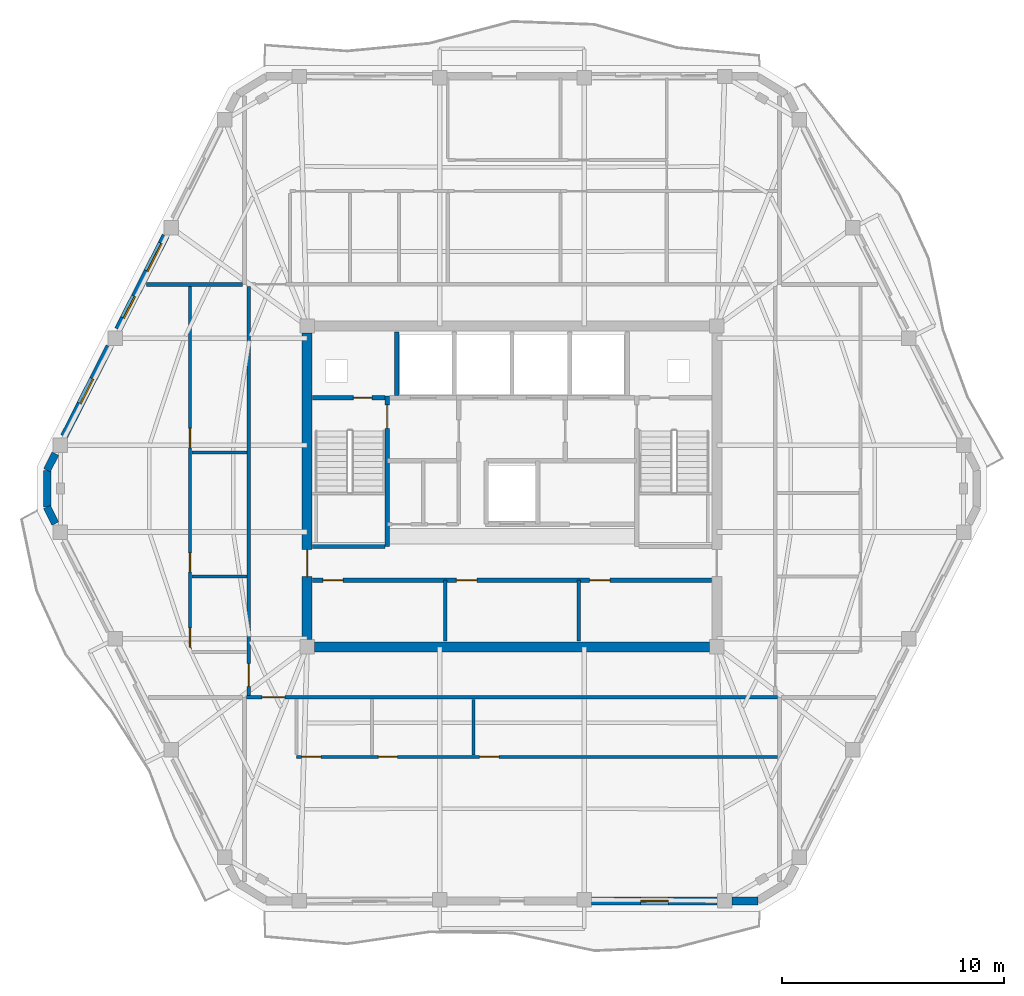
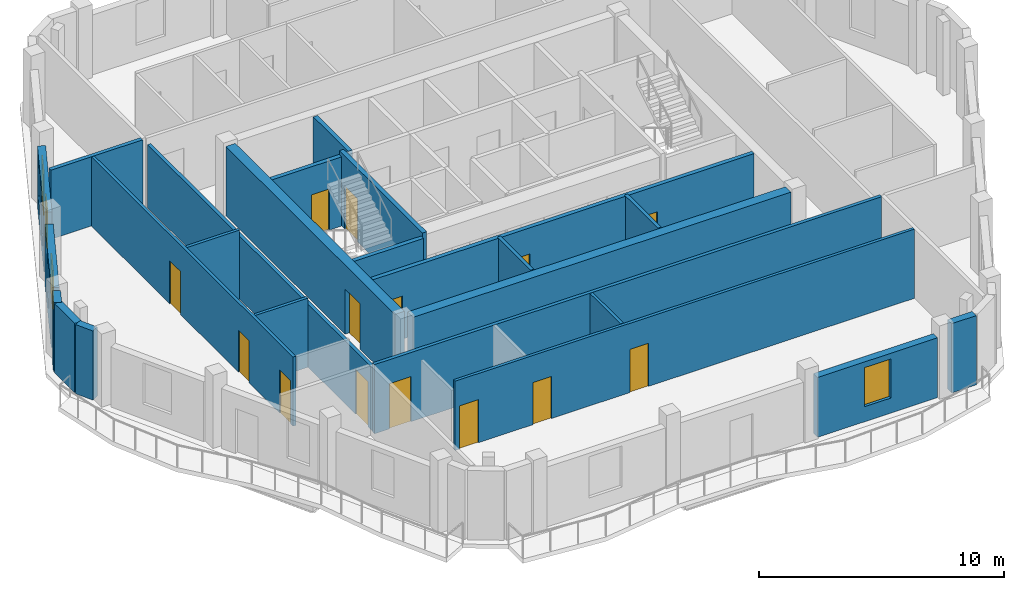
# One storey, part 4 of 10: 24 walls, 14 doors, 4 windows, 18 openings.
"""IFC4 building model written with IfcOpenShell, lengths in metres."""

from ifc_helpers import new_model, si_unit, direction, frame, frame_2d, origin, place, context, subcontext, project, spatial, rectangle, extrude, material, layer, layer_set, type_object, element, fill, save


model = new_model("IFC4")

# Units and contexts
model_context = context("Model", 3, precision=1e-05, world=origin(), true_north=direction((0.0, 1.0)))
body_context = subcontext(model_context, "Body", "Model", "MODEL_VIEW")
ifc_project = project(units=[si_unit("LENGTHUNIT", "METRE"), si_unit("AREAUNIT", "SQUARE_METRE"), si_unit("VOLUMEUNIT", "CUBIC_METRE"), si_unit("PLANEANGLEUNIT", "RADIAN"), si_unit("MASSUNIT", "GRAM", prefix="KILO")], contexts=[model_context])

# Site, building, storey
site_placement = place(None, origin())
site = spatial("IfcSite", under=ifc_project, at=site_placement, CompositionType="ELEMENT")
building_placement = place(site_placement, origin())
building = spatial("IfcBuilding", under=site, at=building_placement, Name="Cinnabar Lancet Tower", CompositionType="ELEMENT")
storey_placement = place(building_placement, frame((0.0, 0.0, 263.5)))
storey = spatial("IfcBuildingStorey", under=building, at=storey_placement, Name="L70", CompositionType="ELEMENT", Elevation=263.5)

# Walls
ifc_material_1 = material(Name="Acoustic twin-stud gypsum partition", Category="gypsum")
ifc_layer_1 = layer(ifc_material_1, 0.159912109375)
ifc_layer_set_1 = layer_set([ifc_layer_1], Name="Acoustic twin-stud gypsum partition")
wall_type_1 = type_object("IfcWallType", Name="ARC-WL-CORR-160", PredefinedType="PARTITIONING", material=ifc_layer_set_1)
for number, where, z_axis, x_axis, name in (
    (1, (29.39990234375, 18.949951171875, 0.0), (0.0, 0.0, 1.0), (0.0, 1.0, 0.0), "CW-SB-2940-L70"),
    (2, (35.39990234375, 18.949951171875, 0.0), (0.0, 0.0, 1.0), (0.0, 1.0, 0.0), "CW-SB-3540-L70"),
):
    element("IfcWall", number, at=place(storey_placement, frame(where, z_axis=z_axis, x_axis=x_axis)), inside=storey, type_object=wall_type_1, Name=name, PredefinedType="PARTITIONING", context=body_context, shape_type="SweptSolid", body=[
        extrude(rectangle(XDim=2.72998046875, YDim=0.159912109375, at=frame_2d((1.364990234375, 0.0))), origin(), (0.0, 0.0, 1.0), 3.449951171875),
    ])

# Wall, opening, door
wall_1_placement = place(storey_placement, frame((20.445068359375, 16.39990234375, 0.0), z_axis=(0.0, 0.0, 1.0), x_axis=(1.0, 0.0, 0.0)))
wall_1 = element("IfcWall", 3, at=wall_1_placement, inside=storey, type_object=wall_type_1, Name="L70 Unit S01 Corridor Wall", PredefinedType="PARTITIONING", context=body_context, shape_type="SweptSolid", body=[
    extrude(rectangle(XDim=23.909912109375, YDim=0.159912109375, at=frame_2d((11.955078125, 0.0))), origin(), (0.0, 0.0, 1.0), 3.449951171875),
])
opening_1_placement = place(wall_1_placement, frame((0.705078125, 0.0, 0.0)))
opening_1 = element("IfcOpeningElement", 4, at=opening_1_placement, cuts=wall_1, Name="Opening UD-01", PredefinedType="OPENING", context=body_context, shape_type="SweptSolid", body=[
    extrude(rectangle(XDim=1.02001953125, YDim=2.25, at=frame_2d((0.510009765625, 1.125))), frame((0.0, 0.08984375, 0.0), z_axis=(0.0, -1.0, 0.0), x_axis=(1.0, 0.0, 0.0)), (0.0, 0.0, 1.0), 0.179931640625),
])
ifc_material_2 = material(Name="Solid timber fire-rated apartment entrance door", Category="wood")
door_type_1 = type_object("IfcDoorType", Name="ARC-DR-UNIT", OperationType="NOTDEFINED", PredefinedType="DOOR", material=ifc_material_2)
door_1_placement = place(opening_1_placement, origin())
door_1 = element("IfcDoor", 5, at=door_1_placement, inside=storey, type_object=door_type_1, Name="DR-L70-S01-ENT", OperationType="SINGLE_SWING_LEFT", OverallHeight=2.25, OverallWidth=1.02001953125, PredefinedType="DOOR", context=body_context, shape_type="SweptSolid", body=[
    extrude(rectangle(XDim=1.02001953125, YDim=2.25, at=frame_2d((0.510009765625, 1.125))), frame((0.0, 0.02490234375, 0.0), z_axis=(0.0, -1.0, 0.0), x_axis=(1.0, 0.0, 0.0)), (0.0, 0.0, 1.0), 0.050048828125),
])
fill(opening_1, door_1)

wall_2_placement = place(storey_placement, frame((20.550048828125, 16.4951171875, 0.0), z_axis=(0.0, 0.0, 1.0), x_axis=(0.0, 1.0, 0.0)))
wall_2 = element("IfcWall", 6, at=wall_2_placement, inside=storey, type_object=wall_type_1, Name="UW-L70-W01-COR", PredefinedType="PARTITIONING", context=body_context, shape_type="SweptSolid", body=[
    extrude(rectangle(XDim=18.409912109375, YDim=0.159912109375, at=frame_2d((9.205078125, 0.0))), origin(), (0.0, 0.0, 1.0), 3.136962890625),
])
opening_2_placement = place(wall_2_placement, frame((0.39990234375, 0.0, 0.0)))
opening_2 = element("IfcOpeningElement", 7, at=opening_2_placement, cuts=wall_2, Name="Opening UD-01", PredefinedType="OPENING", context=body_context, shape_type="SweptSolid", body=[
    extrude(rectangle(XDim=1.02001953125, YDim=2.25, at=frame_2d((0.510009765625, 1.125))), frame((0.0, 0.08984375, 0.0), z_axis=(0.0, -1.0, 0.0), x_axis=(1.0, 0.0, 0.0)), (0.0, 0.0, 1.0), 0.179931640625),
])
door_2_placement = place(opening_2_placement, origin())
door_2 = element("IfcDoor", 8, at=door_2_placement, inside=storey, type_object=door_type_1, Name="DR-L70-W01-ENT", OperationType="SINGLE_SWING_LEFT", OverallHeight=2.25, OverallWidth=1.02001953125, PredefinedType="DOOR", context=body_context, shape_type="SweptSolid", body=[
    extrude(rectangle(XDim=1.02001953125, YDim=2.25, at=frame_2d((0.510009765625, 1.125))), frame((0.0, 0.02490234375, 0.0), z_axis=(0.0, -1.0, 0.0), x_axis=(1.0, 0.0, 0.0)), (0.0, 0.0, 1.0), 0.050048828125),
])
fill(opening_2, door_2)

# Walls
ifc_material_3 = material(Name="Fire-rated twin-frame acoustic drywall", Category="gypsum")
ifc_layer_2 = layer(ifc_material_3, 0.179931640625)
ifc_layer_set_2 = layer_set([ifc_layer_2], Name="Fire-rated twin-frame acoustic drywall")
wall_type_2 = type_object("IfcWallType", Name="ARC-WL-PARTY-180", PredefinedType="PARTITIONING", material=ifc_layer_set_2)
wall_3_placement = place(storey_placement, frame((15.93310546875, 35.0, 0.0), z_axis=(0.0, 0.0, 1.0), x_axis=(1.0, 0.0, 0.0)))
element("IfcWall", 9, at=wall_3_placement, inside=storey, type_object=wall_type_2, Name="PW-L70-WNB", PredefinedType="PARTITIONING", context=body_context, shape_type="SweptSolid", body=[
    extrude(rectangle(XDim=4.32177734375, YDim=0.179931640625, at=frame_2d((2.160888671875, 0.0))), origin(), (0.0, 0.0, 1.0), 3.449951171875),
])
ifc_material_4 = material(Name="Autoclaved aerated concrete blockwork", Category="masonry")
ifc_layer_3 = layer(ifc_material_4, 0.199951171875)
ifc_layer_set_3 = layer_set([ifc_layer_3], Name="Autoclaved aerated concrete blockwork")
wall_type_3 = type_object("IfcWallType", Name="ARC-WL-SHAFT-200", PredefinedType="PLUMBINGWALL", material=ifc_layer_set_3)
wall_4_placement = place(storey_placement, frame((23.405029296875, 23.199951171875, 0.0), z_axis=(0.0, 0.0, 1.0), x_axis=(1.0, 0.0, 0.0)))
element("IfcWall", 10, at=wall_4_placement, inside=storey, type_object=wall_type_3, Name="CW-ST1S-L70", PredefinedType="PLUMBINGWALL", context=body_context, shape_type="SweptSolid", body=[
    extrude(rectangle(XDim=3.27001953125, YDim=0.199951171875, at=frame_2d((1.635009765625, 0.0))), origin(), (0.0, 0.0, 1.0), 3.449951171875),
])

# Wall, opening, door
wall_5_placement = place(storey_placement, frame((23.405029296875, 29.89990234375, 0.0), z_axis=(0.0, 0.0, 1.0), x_axis=(1.0, 0.0, 0.0)))
wall_5 = element("IfcWall", 11, at=wall_5_placement, inside=storey, type_object=wall_type_3, Name="CW-NSH-W-L70", PredefinedType="PLUMBINGWALL", context=body_context, shape_type="SweptSolid", body=[
    extrude(rectangle(XDim=3.27001953125, YDim=0.199951171875, at=frame_2d((1.635009765625, 0.0))), origin(), (0.0, 0.0, 1.0), 3.449951171875),
])
opening_3_placement = place(wall_5_placement, frame((1.85009765625, 0.0, 0.0)))
opening_3 = element("IfcOpeningElement", 12, at=opening_3_placement, cuts=wall_5, Name="Opening PD-02", PredefinedType="OPENING", context=body_context, shape_type="SweptSolid", body=[
    extrude(rectangle(XDim=0.85009765625, YDim=2.050048828125, at=frame_2d((0.425048828125, 1.02490234375))), frame((0.0, 0.10986328125, 0.0), z_axis=(0.0, -1.0, 0.0), x_axis=(1.0, 0.0, 0.0)), (0.0, 0.0, 1.0), 0.219970703125),
])
ifc_material_5 = material(Name="Fire-rated steel riser access door", Category="steel")
door_type_2 = type_object("IfcDoorType", Name="ARC-DR-RISER", OperationType="NOTDEFINED", PredefinedType="DOOR", material=ifc_material_5)
door_3_placement = place(opening_3_placement, origin())
door_3 = element("IfcDoor", 13, at=door_3_placement, inside=storey, type_object=door_type_2, Name="L70 West Riser Access Door", OperationType="SINGLE_SWING_LEFT", OverallHeight=2.050048828125, OverallWidth=0.85009765625, PredefinedType="DOOR", context=body_context, shape_type="SweptSolid", body=[
    extrude(rectangle(XDim=0.85009765625, YDim=2.050048828125, at=frame_2d((0.425048828125, 1.02490234375))), frame((0.0, 0.02490234375, 0.0), z_axis=(0.0, -1.0, 0.0), x_axis=(1.0, 0.0, 0.0)), (0.0, 0.0, 1.0), 0.050048828125),
])
fill(opening_3, door_3)

# Wall
wall_6_placement = place(storey_placement, frame((27.199951171875, 30.0, 0.0), z_axis=(0.0, 0.0, 1.0), x_axis=(0.0, 1.0, 0.0)))
element("IfcWall", 14, at=wall_6_placement, inside=storey, type_object=wall_type_3, Name="CW-NSH-D1-L70", PredefinedType="PLUMBINGWALL", context=body_context, shape_type="SweptSolid", body=[
    extrude(rectangle(XDim=2.85009765625, YDim=0.199951171875, at=frame_2d((1.425048828125, 0.0))), origin(), (0.0, 0.0, 1.0), 3.449951171875),
])

# Wall, openings, doors
wall_7_placement = place(storey_placement, frame((23.419921875, 21.679931640625, 0.0), z_axis=(0.0, 0.0, 1.0), x_axis=(1.0, 0.0, 0.0)))
wall_7 = element("IfcWall", 15, at=wall_7_placement, inside=storey, type_object=wall_type_3, Name="CW-SBANDN-L70", PredefinedType="PLUMBINGWALL", context=body_context, shape_type="SweptSolid", body=[
    extrude(rectangle(XDim=17.9599609375, YDim=0.199951171875, at=frame_2d((8.97998046875, 0.0))), origin(), (0.0, 0.0, 1.0), 3.449951171875),
])
opening_4_placement = place(wall_7_placement, frame((0.4599609375, 0.0, 0.0)))
opening_4 = element("IfcOpeningElement", 16, at=opening_4_placement, cuts=wall_7, Name="Opening RD-01", PredefinedType="OPENING", context=body_context, shape_type="SweptSolid", body=[
    extrude(rectangle(XDim=0.919921875, YDim=2.14990234375, at=frame_2d((0.4599609375, 1.074951171875))), frame((0.0, 0.10986328125, 0.0), z_axis=(0.0, -1.0, 0.0), x_axis=(1.0, 0.0, 0.0)), (0.0, 0.0, 1.0), 0.219970703125),
])
opening_5_placement = place(wall_7_placement, frame((6.47998046875, 0.0, 0.0)))
opening_5 = element("IfcOpeningElement", 17, at=opening_5_placement, cuts=wall_7, Name="Opening RD-01", PredefinedType="OPENING", context=body_context, shape_type="SweptSolid", body=[
    extrude(rectangle(XDim=0.919921875, YDim=2.14990234375, at=frame_2d((0.4599609375, 1.074951171875))), frame((0.0, 0.10986328125, 0.0), z_axis=(0.0, -1.0, 0.0), x_axis=(1.0, 0.0, 0.0)), (0.0, 0.0, 1.0), 0.219970703125),
])
opening_6_placement = place(wall_7_placement, frame((12.47998046875, 0.0, 0.0)))
opening_6 = element("IfcOpeningElement", 18, at=opening_6_placement, cuts=wall_7, Name="Opening RD-01", PredefinedType="OPENING", context=body_context, shape_type="SweptSolid", body=[
    extrude(rectangle(XDim=0.919921875, YDim=2.14990234375, at=frame_2d((0.4599609375, 1.074951171875))), frame((0.0, 0.10986328125, 0.0), z_axis=(0.0, -1.0, 0.0), x_axis=(1.0, 0.0, 0.0)), (0.0, 0.0, 1.0), 0.219970703125),
])
ifc_material_6 = material(Name="Engineered timber bedroom door", Category="wood")
door_type_3 = type_object("IfcDoorType", Name="ARC-DR-ROOM", OperationType="NOTDEFINED", PredefinedType="DOOR", material=ifc_material_6)
door_4_placement = place(opening_4_placement, origin())
door_4 = element("IfcDoor", 19, at=door_4_placement, inside=storey, type_object=door_type_3, Name="DR-L70-HREC1", OperationType="SINGLE_SWING_LEFT", OverallHeight=2.14990234375, OverallWidth=0.919921875, PredefinedType="DOOR", context=body_context, shape_type="SweptSolid", body=[
    extrude(rectangle(XDim=0.919921875, YDim=2.14990234375, at=frame_2d((0.4599609375, 1.074951171875))), frame((0.0, 0.02490234375, 0.0), z_axis=(0.0, -1.0, 0.0), x_axis=(1.0, 0.0, 0.0)), (0.0, 0.0, 1.0), 0.050048828125),
])
fill(opening_4, door_4)
door_5_placement = place(opening_5_placement, origin())
door_5 = element("IfcDoor", 20, at=door_5_placement, inside=storey, type_object=door_type_3, Name="DR-L70-HREC2", OperationType="SINGLE_SWING_RIGHT", OverallHeight=2.14990234375, OverallWidth=0.919921875, PredefinedType="DOOR", context=body_context, shape_type="SweptSolid", body=[
    extrude(rectangle(XDim=0.919921875, YDim=2.14990234375, at=frame_2d((0.4599609375, 1.074951171875))), frame((0.0, 0.02490234375, 0.0), z_axis=(0.0, -1.0, 0.0), x_axis=(1.0, 0.0, 0.0)), (0.0, 0.0, 1.0), 0.050048828125),
])
fill(opening_5, door_5)
door_6_placement = place(opening_6_placement, origin())
door_6 = element("IfcDoor", 21, at=door_6_placement, inside=storey, type_object=door_type_3, Name="DR-L70-HREC3", OperationType="SINGLE_SWING_LEFT", OverallHeight=2.14990234375, OverallWidth=0.919921875, PredefinedType="DOOR", context=body_context, shape_type="SweptSolid", body=[
    extrude(rectangle(XDim=0.919921875, YDim=2.14990234375, at=frame_2d((0.4599609375, 1.074951171875))), frame((0.0, 0.02490234375, 0.0), z_axis=(0.0, -1.0, 0.0), x_axis=(1.0, 0.0, 0.0)), (0.0, 0.0, 1.0), 0.050048828125),
])
fill(opening_6, door_6)

ifc_material_7 = material(Name="Moisture-resistant cement-board plumbing wall", Category="masonry")
ifc_layer_4 = layer(ifc_material_7, 0.139892578125)
ifc_layer_set_4 = layer_set([ifc_layer_4], Name="Moisture-resistant cement-board plumbing wall")
wall_type_4 = type_object("IfcWallType", Name="ARC-WL-WET-140", PredefinedType="PLUMBINGWALL", material=ifc_layer_set_4)
wall_8_placement = place(storey_placement, frame((22.699951171875, 13.720947265625, 0.0), z_axis=(0.0, 0.0, 1.0), x_axis=(1.0, 0.0, 0.0)))
wall_8 = element("IfcWall", 22, at=wall_8_placement, inside=storey, type_object=wall_type_4, Name="UW-L70-S01-SPL", PredefinedType="PLUMBINGWALL", context=body_context, shape_type="SweptSolid", body=[
    extrude(rectangle(XDim=21.655029296875, YDim=0.139892578125, at=frame_2d((10.82763671875, 0.0))), origin(), (0.0, 0.0, 1.0), 3.449951171875),
])
opening_7_placement = place(wall_8_placement, frame((3.679931640625, 0.0, 0.0)))
opening_7 = element("IfcOpeningElement", 23, at=opening_7_placement, cuts=wall_8, Name="Opening BD-01", PredefinedType="OPENING", context=body_context, shape_type="SweptSolid", body=[
    extrude(rectangle(XDim=0.860107421875, YDim=2.10009765625, at=frame_2d((0.43017578125, 1.050048828125))), frame((0.0, 0.079833984375, 0.0), z_axis=(0.0, -1.0, 0.0), x_axis=(1.0, 0.0, 0.0)), (0.0, 0.0, 1.0), 0.159912109375),
])
opening_8_placement = place(wall_8_placement, frame((8.2451171875, 0.0, 0.0)))
opening_8 = element("IfcOpeningElement", 24, at=opening_8_placement, cuts=wall_8, Name="Opening RD-02", PredefinedType="OPENING", context=body_context, shape_type="SweptSolid", body=[
    extrude(rectangle(XDim=0.8798828125, YDim=2.14990234375, at=frame_2d((0.43994140625, 1.074951171875))), frame((0.0, 0.079833984375, 0.0), z_axis=(0.0, -1.0, 0.0), x_axis=(1.0, 0.0, 0.0)), (0.0, 0.0, 1.0), 0.159912109375),
])
opening_9_placement = place(wall_8_placement, frame((0.219970703125, 0.0, 0.0)))
opening_9 = element("IfcOpeningElement", 25, at=opening_9_placement, cuts=wall_8, Name="Opening RD-02", PredefinedType="OPENING", context=body_context, shape_type="SweptSolid", body=[
    extrude(rectangle(XDim=0.8798828125, YDim=2.14990234375, at=frame_2d((0.43994140625, 1.074951171875))), frame((0.0, 0.079833984375, 0.0), z_axis=(0.0, -1.0, 0.0), x_axis=(1.0, 0.0, 0.0)), (0.0, 0.0, 1.0), 0.159912109375),
])
ifc_material_8 = material(Name="Moisture-resistant timber bathroom door", Category="wood")
door_type_4 = type_object("IfcDoorType", Name="ARC-DR-BATH", OperationType="NOTDEFINED", PredefinedType="DOOR", material=ifc_material_8)
door_7_placement = place(opening_7_placement, origin())
door_7 = element("IfcDoor", 26, at=door_7_placement, inside=storey, type_object=door_type_4, Name="DR-L70-S01-BTH", OperationType="SINGLE_SWING_LEFT", OverallHeight=2.10009765625, OverallWidth=0.860107421875, PredefinedType="DOOR", context=body_context, shape_type="SweptSolid", body=[
    extrude(rectangle(XDim=0.860107421875, YDim=2.10009765625, at=frame_2d((0.43017578125, 1.050048828125))), frame((0.0, 0.02490234375, 0.0), z_axis=(0.0, -1.0, 0.0), x_axis=(1.0, 0.0, 0.0)), (0.0, 0.0, 1.0), 0.050048828125),
])
fill(opening_7, door_7)
ifc_material_9 = material(Name="Engineered timber study door", Category="wood")
door_type_5 = type_object("IfcDoorType", Name="ARC-DR-STUDY", OperationType="NOTDEFINED", PredefinedType="DOOR", material=ifc_material_9)
door_8_placement = place(opening_8_placement, origin())
door_8 = element("IfcDoor", 27, at=door_8_placement, inside=storey, type_object=door_type_5, Name="DR-L70-S01-BTH-WDR", OperationType="SINGLE_SWING_RIGHT", OverallHeight=2.14990234375, OverallWidth=0.8798828125, PredefinedType="DOOR", context=body_context, shape_type="SweptSolid", body=[
    extrude(rectangle(XDim=0.8798828125, YDim=2.14990234375, at=frame_2d((0.43994140625, 1.074951171875))), frame((0.0, 0.02490234375, 0.0), z_axis=(0.0, -1.0, 0.0), x_axis=(1.0, 0.0, 0.0)), (0.0, 0.0, 1.0), 0.050048828125),
])
fill(opening_8, door_8)
door_9_placement = place(opening_9_placement, origin())
door_9 = element("IfcDoor", 28, at=door_9_placement, inside=storey, type_object=door_type_5, Name="DR-L70-S01-KIT", OperationType="SINGLE_SWING_RIGHT", OverallHeight=2.14990234375, OverallWidth=0.8798828125, PredefinedType="DOOR", context=body_context, shape_type="SweptSolid", body=[
    extrude(rectangle(XDim=0.8798828125, YDim=2.14990234375, at=frame_2d((0.43994140625, 1.074951171875))), frame((0.0, 0.02490234375, 0.0), z_axis=(0.0, -1.0, 0.0), x_axis=(1.0, 0.0, 0.0)), (0.0, 0.0, 1.0), 0.050048828125),
])
fill(opening_9, door_9)

# Wall
wall_9_placement = place(storey_placement, frame((30.6650390625, 13.805908203125, 0.0), z_axis=(0.0, 0.0, 1.0), x_axis=(0.0, 1.0, 0.0)))
element("IfcWall", 29, at=wall_9_placement, inside=storey, type_object=wall_type_4, Name="UW-L70-S01-BTH-WDV", PredefinedType="PLUMBINGWALL", context=body_context, shape_type="SweptSolid", body=[
    extrude(rectangle(XDim=2.509033203125, YDim=0.139892578125, at=frame_2d((1.25439453125, 0.0))), origin(), (0.0, 0.0, 1.0), 3.449951171875),
])

# Wall, openings, doors
wall_10_placement = place(storey_placement, frame((17.89990234375, 18.449951171875, 0.0), z_axis=(0.0, 0.0, 1.0), x_axis=(0.0, 1.0, 0.0)))
wall_10 = element("IfcWall", 30, at=wall_10_placement, inside=storey, type_object=wall_type_4, Name="UW-L70-W01-SPL", PredefinedType="PLUMBINGWALL", context=body_context, shape_type="SweptSolid", body=[
    extrude(rectangle(XDim=16.455078125, YDim=0.139892578125, at=frame_2d((8.2275390625, 0.0))), origin(), (0.0, 0.0, 1.0), 3.449951171875),
])
opening_10_placement = place(wall_10_placement, frame((3.60009765625, 0.0, 0.0)))
opening_10 = element("IfcOpeningElement", 31, at=opening_10_placement, cuts=wall_10, Name="Opening BD-01", PredefinedType="OPENING", context=body_context, shape_type="SweptSolid", body=[
    extrude(rectangle(XDim=0.860107421875, YDim=2.10009765625, at=frame_2d((0.43017578125, 1.050048828125))), frame((0.0, 0.079833984375, 0.0), z_axis=(0.0, -1.0, 0.0), x_axis=(1.0, 0.0, 0.0)), (0.0, 0.0, 1.0), 0.159912109375),
])
opening_11_placement = place(wall_10_placement, frame((9.18701171875, 0.0, 0.0)))
opening_11 = element("IfcOpeningElement", 32, at=opening_11_placement, cuts=wall_10, Name="Opening RD-02", PredefinedType="OPENING", context=body_context, shape_type="SweptSolid", body=[
    extrude(rectangle(XDim=0.8798828125, YDim=2.14990234375, at=frame_2d((0.43994140625, 1.074951171875))), frame((0.0, 0.079833984375, 0.0), z_axis=(0.0, -1.0, 0.0), x_axis=(1.0, 0.0, 0.0)), (0.0, 0.0, 1.0), 0.159912109375),
])
opening_12_placement = place(wall_10_placement, frame((0.199951171875, 0.0, 0.0)))
opening_12 = element("IfcOpeningElement", 33, at=opening_12_placement, cuts=wall_10, Name="Opening RD-02", PredefinedType="OPENING", context=body_context, shape_type="SweptSolid", body=[
    extrude(rectangle(XDim=0.8798828125, YDim=2.14990234375, at=frame_2d((0.43994140625, 1.074951171875))), frame((0.0, 0.079833984375, 0.0), z_axis=(0.0, -1.0, 0.0), x_axis=(1.0, 0.0, 0.0)), (0.0, 0.0, 1.0), 0.159912109375),
])
door_10_placement = place(opening_10_placement, origin())
door_10 = element("IfcDoor", 34, at=door_10_placement, inside=storey, type_object=door_type_4, Name="DR-L70-W01-BTH", OperationType="SINGLE_SWING_LEFT", OverallHeight=2.10009765625, OverallWidth=0.860107421875, PredefinedType="DOOR", context=body_context, shape_type="SweptSolid", body=[
    extrude(rectangle(XDim=0.860107421875, YDim=2.10009765625, at=frame_2d((0.43017578125, 1.050048828125))), frame((0.0, 0.02490234375, 0.0), z_axis=(0.0, -1.0, 0.0), x_axis=(1.0, 0.0, 0.0)), (0.0, 0.0, 1.0), 0.050048828125),
])
fill(opening_10, door_10)
door_11_placement = place(opening_11_placement, origin())
door_11 = element("IfcDoor", 35, at=door_11_placement, inside=storey, type_object=door_type_5, Name="DR-L70-W01-WDR", OperationType="SINGLE_SWING_RIGHT", OverallHeight=2.14990234375, OverallWidth=0.8798828125, PredefinedType="DOOR", context=body_context, shape_type="SweptSolid", body=[
    extrude(rectangle(XDim=0.8798828125, YDim=2.14990234375, at=frame_2d((0.43994140625, 1.074951171875))), frame((0.0, 0.02490234375, 0.0), z_axis=(0.0, -1.0, 0.0), x_axis=(1.0, 0.0, 0.0)), (0.0, 0.0, 1.0), 0.050048828125),
])
fill(opening_11, door_11)
door_12_placement = place(opening_12_placement, origin())
door_12 = element("IfcDoor", 36, at=door_12_placement, inside=storey, type_object=door_type_5, Name="DR-L70-W01-KIT", OperationType="SINGLE_SWING_RIGHT", OverallHeight=2.14990234375, OverallWidth=0.8798828125, PredefinedType="DOOR", context=body_context, shape_type="SweptSolid", body=[
    extrude(rectangle(XDim=0.8798828125, YDim=2.14990234375, at=frame_2d((0.43994140625, 1.074951171875))), frame((0.0, 0.02490234375, 0.0), z_axis=(0.0, -1.0, 0.0), x_axis=(1.0, 0.0, 0.0)), (0.0, 0.0, 1.0), 0.050048828125),
])
fill(opening_12, door_12)

# Walls
for number, where, z_axis, x_axis, name in (
    (37, (17.985107421875, 21.85009765625, 0.0), (0.0, 0.0, 1.0), (1.0, 0.0, 0.0), "UW-L70-W01-KDV"),
    (38, (17.985107421875, 27.43701171875, 0.0), (0.0, 0.0, 1.0), (1.0, 0.0, 0.0), "UW-L70-W01-BWDV"),
):
    element("IfcWall", number, at=place(storey_placement, frame(where, z_axis=z_axis, x_axis=x_axis)), inside=storey, type_object=wall_type_4, Name=name, PredefinedType="PLUMBINGWALL", context=body_context, shape_type="SweptSolid", body=[
        extrude(rectangle(XDim=2.47998046875, YDim=0.139892578125, at=frame_2d((1.239990234375, 0.0))), origin(), (0.0, 0.0, 1.0), 3.449951171875),
    ])
ifc_material_10 = material(Name="Cinnabar red clay brick", Category="masonry")
ifc_layer_5 = layer(ifc_material_10, 0.340087890625)
ifc_layer_set_5 = layer_set([ifc_layer_5], Name="Cinnabar red clay brick")
wall_type_5 = type_object("IfcWallType", Name="ENV-WL-BRK-RED-340", PredefinedType="STANDARD", material=ifc_layer_set_5)
wall_11_placement = place(storey_placement, frame((11.47705078125, 26.6201171875, 0.0), z_axis=(0.0, 0.0, 1.0), x_axis=(0.0, -1.0, 0.0)))
element("IfcWall", 39, at=wall_11_placement, inside=storey, type_object=wall_type_5, Name="L70 Chamfered Corner Brick Pier 6.1", PredefinedType="STANDARD", context=body_context, shape_type="SweptSolid", body=[
    extrude(rectangle(XDim=1.64013671875, YDim=0.340087890625, at=frame_2d((0.820068359375, 0.0))), origin(), (0.0, 0.0, 1.0), 3.449951171875),
])

# Wall, opening, window
wall_12_placement = place(storey_placement, frame((35.98291015625, 7.22998046875, 0.0), z_axis=(0.0, 0.0, 1.0), x_axis=(1.0, 0.0, 0.0)))
wall_12 = element("IfcWall", 40, at=wall_12_placement, inside=storey, type_object=wall_type_5, Name="L70 Face 1 Masonry Bay Wall 4", PredefinedType="STANDARD", context=body_context, shape_type="SweptSolid", body=[
    extrude(rectangle(XDim=5.66015625, YDim=0.340087890625, at=frame_2d((2.830078125, 0.0))), origin(), (0.0, 0.0, 1.0), 2.98291015625),
])
opening_13_placement = place(wall_12_placement, frame((2.205078125, 0.0, 0.75)))
opening_13 = element("IfcOpeningElement", 41, at=opening_13_placement, cuts=wall_12, Name="Opening WN-03", PredefinedType="OPENING", context=body_context, shape_type="SweptSolid", body=[
    extrude(rectangle(XDim=1.25, YDim=1.949951171875, at=frame_2d((0.625, 0.97509765625))), frame((0.0, 0.179931640625, 0.0), z_axis=(0.0, -1.0, 0.0), x_axis=(1.0, 0.0, 0.0)), (0.0, 0.0, 1.0), 0.360107421875),
])
ifc_material_11 = material(Name="Thermally broken bronze-anodized aluminium low-E double glazing", Category="aluminium")
window_type_1 = type_object("IfcWindowType", Name="ENV-WN-LANCET-1250", PartitioningType="SINGLE_PANEL", PredefinedType="WINDOW", material=ifc_material_11)
window_1_placement = place(opening_13_placement, origin())
window_1 = element("IfcWindow", 42, at=window_1_placement, inside=storey, type_object=window_type_1, Name="L70 Face 1 Gothic Lancet Window 4", OverallHeight=1.949951171875, OverallWidth=1.25, PartitioningType="SINGLE_PANEL", PredefinedType="WINDOW", context=body_context, shape_type="SweptSolid", body=[
    extrude(rectangle(XDim=1.25, YDim=1.949951171875, at=frame_2d((0.625, 0.97509765625))), frame((0.0, 0.030029296875, 0.0), z_axis=(0.0, -1.0, 0.0), x_axis=(1.0, 0.0, 0.0)), (0.0, 0.0, 1.0), 0.06005859375),
])
fill(opening_13, window_1)

# Wall
wall_13_placement = place(storey_placement, frame((42.301025390625, 7.22998046875, 0.0), z_axis=(0.0, 0.0, 1.0), x_axis=(1.0, 0.0, 0.0)))
element("IfcWall", 43, at=wall_13_placement, inside=storey, type_object=wall_type_5, Name="L70 Face 1 Masonry Bay Wall 5", PredefinedType="STANDARD", context=body_context, shape_type="SweptSolid", body=[
    extrude(rectangle(XDim=1.173095703125, YDim=0.340087890625, at=frame_2d((0.58642578125, 0.0))), origin(), (0.0, 0.0, 1.0), 3.449951171875),
])

# Wall, openings, windows
wall_14_placement = place(storey_placement, frame((16.798095703125, 37.18701171875, 0.0), z_axis=(0.0, 0.0, 1.0), x_axis=(-0.451447516904, -0.892297674255, 0.0)))
wall_14 = element("IfcWall", 44, at=wall_14_placement, inside=storey, type_object=wall_type_5, Name="L70 Face 5 Masonry Bay Wall 3", PredefinedType="STANDARD", context=body_context, shape_type="SweptSolid", body=[
    extrude(rectangle(XDim=4.72265625, YDim=0.340087890625, at=frame_2d((2.361328125, 0.0))), origin(), (0.0, 0.0, 1.0), 2.98291015625),
])
opening_14_placement = place(wall_14_placement, frame((0.39599609375, 0.0, 0.75)))
opening_14 = element("IfcOpeningElement", 45, at=opening_14_placement, cuts=wall_14, Name="Opening WN-02", PredefinedType="OPENING", context=body_context, shape_type="SweptSolid", body=[
    extrude(rectangle(XDim=1.39990234375, YDim=2.050048828125, at=frame_2d((0.699951171875, 1.02490234375))), frame((0.0, 0.179931640625, 0.0), z_axis=(0.0, -1.0, 0.0), x_axis=(1.0, 0.0, 0.0)), (0.0, 0.0, 1.0), 0.360107421875),
])
opening_15_placement = place(wall_14_placement, frame((3.05810546875, 0.0, 0.75)))
opening_15 = element("IfcOpeningElement", 46, at=opening_15_placement, cuts=wall_14, Name="Opening WN-04", PredefinedType="OPENING", context=body_context, shape_type="SweptSolid", body=[
    extrude(rectangle(XDim=1.10009765625, YDim=2.0, at=frame_2d((0.550048828125, 1.0))), frame((0.0, 0.179931640625, 0.0), z_axis=(0.0, -1.0, 0.0), x_axis=(1.0, 0.0, 0.0)), (0.0, 0.0, 1.0), 0.360107421875),
])
ifc_material_12 = material(Name="Thermally broken bronze-anodized aluminium tall lancet window", Category="aluminium")
window_type_2 = type_object("IfcWindowType", Name="ENV-WN-LANCET-1100", PartitioningType="SINGLE_PANEL", PredefinedType="WINDOW", material=ifc_material_12)
window_2_placement = place(opening_15_placement, origin())
window_2 = element("IfcWindow", 47, at=window_2_placement, inside=storey, type_object=window_type_2, Name="L70 Split-Bay Gothic Lancet Window 261", OverallHeight=2.0, OverallWidth=1.10009765625, PartitioningType="SINGLE_PANEL", PredefinedType="WINDOW", context=body_context, shape_type="SweptSolid", body=[
    extrude(rectangle(XDim=1.10009765625, YDim=2.0, at=frame_2d((0.550048828125, 1.0))), frame((0.0, 0.030029296875, 0.0), z_axis=(0.0, -1.0, 0.0), x_axis=(1.0, 0.0, 0.0)), (0.0, 0.0, 1.0), 0.06005859375),
])
fill(opening_15, window_2)
ifc_material_13 = material(Name="Thermally broken bronze-anodized aluminium low-E double glazing", Category="aluminium")
window_type_3 = type_object("IfcWindowType", Name="ENV-WN-LANCET-1400", PartitioningType="SINGLE_PANEL", PredefinedType="WINDOW", material=ifc_material_13)
window_3_placement = place(opening_14_placement, origin())
window_3 = element("IfcWindow", 48, at=window_3_placement, inside=storey, type_object=window_type_3, Name="L70 Face 5 Gothic Lancet Window 3", OverallHeight=2.050048828125, OverallWidth=1.39990234375, PartitioningType="SINGLE_PANEL", PredefinedType="WINDOW", context=body_context, shape_type="SweptSolid", body=[
    extrude(rectangle(XDim=1.39990234375, YDim=2.050048828125, at=frame_2d((0.699951171875, 1.02490234375))), frame((0.0, 0.030029296875, 0.0), z_axis=(0.0, -1.0, 0.0), x_axis=(1.0, 0.0, 0.0)), (0.0, 0.0, 1.0), 0.06005859375),
])
fill(opening_14, window_3)

# Wall, opening, window
wall_15_placement = place(storey_placement, frame((14.277099609375, 32.202880859375, 0.0), z_axis=(0.0, 0.0, 1.0), x_axis=(-0.45147697324, -0.892282770558, 0.0)))
wall_15 = element("IfcWall", 49, at=wall_15_placement, inside=storey, type_object=wall_type_5, Name="L70 Face 5 Masonry Bay Wall 4", PredefinedType="STANDARD", context=body_context, shape_type="SweptSolid", body=[
    extrude(rectangle(XDim=4.530029296875, YDim=0.340087890625, at=frame_2d((2.26513671875, 0.0))), origin(), (0.0, 0.0, 1.0), 2.98291015625),
])
opening_16_placement = place(wall_15_placement, frame((1.639892578125, 0.0, 0.75)))
opening_16 = element("IfcOpeningElement", 50, at=opening_16_placement, cuts=wall_15, Name="Opening WN-03", PredefinedType="OPENING", context=body_context, shape_type="SweptSolid", body=[
    extrude(rectangle(XDim=1.25, YDim=1.949951171875, at=frame_2d((0.625, 0.97509765625))), frame((0.0, 0.179931640625, 0.0), z_axis=(0.0, -1.0, 0.0), x_axis=(1.0, 0.0, 0.0)), (0.0, 0.0, 1.0), 0.360107421875),
])
window_4_placement = place(opening_16_placement, origin())
window_4 = element("IfcWindow", 51, at=window_4_placement, inside=storey, type_object=window_type_1, Name="L70 Face 5 Gothic Lancet Window 4", OverallHeight=1.949951171875, OverallWidth=1.25, PartitioningType="SINGLE_PANEL", PredefinedType="WINDOW", context=body_context, shape_type="SweptSolid", body=[
    extrude(rectangle(XDim=1.25, YDim=1.949951171875, at=frame_2d((0.625, 0.97509765625))), frame((0.0, 0.030029296875, 0.0), z_axis=(0.0, -1.0, 0.0), x_axis=(1.0, 0.0, 0.0)), (0.0, 0.0, 1.0), 0.06005859375),
])
fill(opening_16, window_4)

# Walls
wall_16_placement = place(storey_placement, frame((11.8349609375, 27.3759765625, 0.0), z_axis=(0.0, 0.0, 1.0), x_axis=(-0.45139691133, -0.892323275748, 0.0)))
element("IfcWall", 52, at=wall_16_placement, inside=storey, type_object=wall_type_5, Name="L70 Face 5 Masonry Bay Wall 5", PredefinedType="STANDARD", context=body_context, shape_type="SweptSolid", body=[
    extrude(rectangle(XDim=0.83935546875, YDim=0.340087890625, at=frame_2d((0.419677734375, 0.0))), origin(), (0.0, 0.0, 1.0), 3.449951171875),
])
wall_17_placement = place(storey_placement, frame((11.4560546875, 24.972900390625, 0.0), z_axis=(0.0, 0.0, 1.0), x_axis=(0.4515140893, -0.892263989615, 0.0)))
element("IfcWall", 53, at=wall_17_placement, inside=storey, type_object=wall_type_5, Name="L70 Face 6 Masonry Bay Wall 1", PredefinedType="STANDARD", context=body_context, shape_type="SweptSolid", body=[
    extrude(rectangle(XDim=0.839111328125, YDim=0.340087890625, at=frame_2d((0.41943359375, 0.0))), origin(), (0.0, 0.0, 1.0), 3.449951171875),
])
ifc_material_14 = material(Name="Concrete C50/60", Category="concrete")
ifc_layer_6 = layer(ifc_material_14, 0.449951171875)
ifc_layer_set_6 = layer_set([ifc_layer_6], Name="Concrete C50/60")
wall_type_6 = type_object("IfcWallType", Name="STR-WL-CORE-450", PredefinedType="SHEAR", material=ifc_layer_set_6)
wall_18_placement = place(storey_placement, frame((23.5, 18.675048828125, 0.0), z_axis=(0.0, 0.0, 1.0), x_axis=(1.0, 0.0, 0.0)))
element("IfcWall", 54, at=wall_18_placement, inside=storey, type_object=wall_type_6, Name="L70 Core Shear Wall S", PredefinedType="SHEAR", context=body_context, shape_type="SweptSolid", body=[
    extrude(rectangle(XDim=17.800048828125, YDim=0.449951171875, at=frame_2d((8.89990234375, 0.0))), origin(), (0.0, 0.0, 1.0), 3.449951171875),
])

# Wall, opening, door
wall_19_placement = place(storey_placement, frame((23.175048828125, 19.0, 0.0), z_axis=(0.0, 0.0, 1.0), x_axis=(0.0, 1.0, 0.0)))
wall_19 = element("IfcWall", 55, at=wall_19_placement, inside=storey, type_object=wall_type_6, Name="L70 Core Shear Wall W", PredefinedType="SHEAR", context=body_context, shape_type="SweptSolid", body=[
    extrude(rectangle(XDim=13.800048828125, YDim=0.449951171875, at=frame_2d((6.89990234375, 0.0))), origin(), (0.0, 0.0, 1.0), 3.449951171875),
])
opening_17_placement = place(wall_19_placement, frame((2.840087890625, 0.0, 0.0)))
opening_17 = element("IfcOpeningElement", 56, at=opening_17_placement, cuts=wall_19, Name="Opening FD-02", PredefinedType="OPENING", context=body_context, shape_type="SweptSolid", body=[
    extrude(rectangle(XDim=1.219970703125, YDim=2.25, at=frame_2d((0.60986328125, 1.125))), frame((0.0, 0.23486328125, 0.0), z_axis=(0.0, -1.0, 0.0), x_axis=(1.0, 0.0, 0.0)), (0.0, 0.0, 1.0), 0.469970703125),
])
ifc_material_15 = material(Name="Fire-rated double-vision core portal door", Category="wood")
door_type_6 = type_object("IfcDoorType", Name="ARC-DR-CPORT", OperationType="NOTDEFINED", PredefinedType="DOOR", material=ifc_material_15)
door_13_placement = place(opening_17_placement, origin())
door_13 = element("IfcDoor", 57, at=door_13_placement, inside=storey, type_object=door_type_6, Name="L70 West Core Lobby Fire Door", OperationType="SINGLE_SWING_RIGHT", OverallHeight=2.25, OverallWidth=1.219970703125, PredefinedType="DOOR", context=body_context, shape_type="SweptSolid", body=[
    extrude(rectangle(XDim=1.219970703125, YDim=2.25, at=frame_2d((0.60986328125, 1.125))), frame((0.0, 0.02490234375, 0.0), z_axis=(0.0, -1.0, 0.0), x_axis=(1.0, 0.0, 0.0)), (0.0, 0.0, 1.0), 0.050048828125),
])
fill(opening_17, door_13)

ifc_material_16 = material(Name="Concrete C50/60", Category="concrete")
ifc_layer_7 = layer(ifc_material_16, 0.199951171875)
ifc_layer_set_7 = layer_set([ifc_layer_7], Name="Concrete C50/60")
wall_type_7 = type_object("IfcWallType", Name="STR-WL-STAIR-200", PredefinedType="SHEAR", material=ifc_layer_set_7)
wall_20_placement = place(storey_placement, frame((26.780029296875, 23.199951171875, 0.0), z_axis=(0.0, 0.0, 1.0), x_axis=(0.0, 1.0, 0.0)))
wall_20 = element("IfcWall", 58, at=wall_20_placement, inside=storey, type_object=wall_type_7, Name="L70 Stair ST-1 Structural Enclosure Wall", PredefinedType="SHEAR", context=body_context, shape_type="SweptSolid", body=[
    extrude(rectangle(XDim=6.780029296875, YDim=0.199951171875, at=frame_2d((3.39013671875, 0.0))), origin(), (0.0, 0.0, 1.0), 3.64990234375),
])
opening_18_placement = place(wall_20_placement, frame((5.320068359375, 0.0, 0.0)))
opening_18 = element("IfcOpeningElement", 59, at=opening_18_placement, cuts=wall_20, Name="Opening SD-01", PredefinedType="OPENING", context=body_context, shape_type="SweptSolid", body=[
    extrude(rectangle(XDim=1.050048828125, YDim=2.14990234375, at=frame_2d((0.52490234375, 1.074951171875))), frame((0.0, 0.10986328125, 0.0), z_axis=(0.0, -1.0, 0.0), x_axis=(1.0, 0.0, 0.0)), (0.0, 0.0, 1.0), 0.219970703125),
])
ifc_material_17 = material(Name="Fire-rated steel stair exit door", Category="steel")
door_type_7 = type_object("IfcDoorType", Name="ARC-DR-STAIR", OperationType="NOTDEFINED", PredefinedType="DOOR", material=ifc_material_17)
door_14_placement = place(opening_18_placement, origin())
door_14 = element("IfcDoor", 60, at=door_14_placement, inside=storey, type_object=door_type_7, Name="L70 Stair ST-1 Fire Door", OperationType="SINGLE_SWING_LEFT", OverallHeight=2.14990234375, OverallWidth=1.050048828125, PredefinedType="DOOR", context=body_context, shape_type="SweptSolid", body=[
    extrude(rectangle(XDim=1.050048828125, YDim=2.14990234375, at=frame_2d((0.52490234375, 1.074951171875))), frame((0.0, 0.02490234375, 0.0), z_axis=(0.0, -1.0, 0.0), x_axis=(1.0, 0.0, 0.0)), (0.0, 0.0, 1.0), 0.050048828125),
])
fill(opening_18, door_14)

save(model, "model.ifc")
